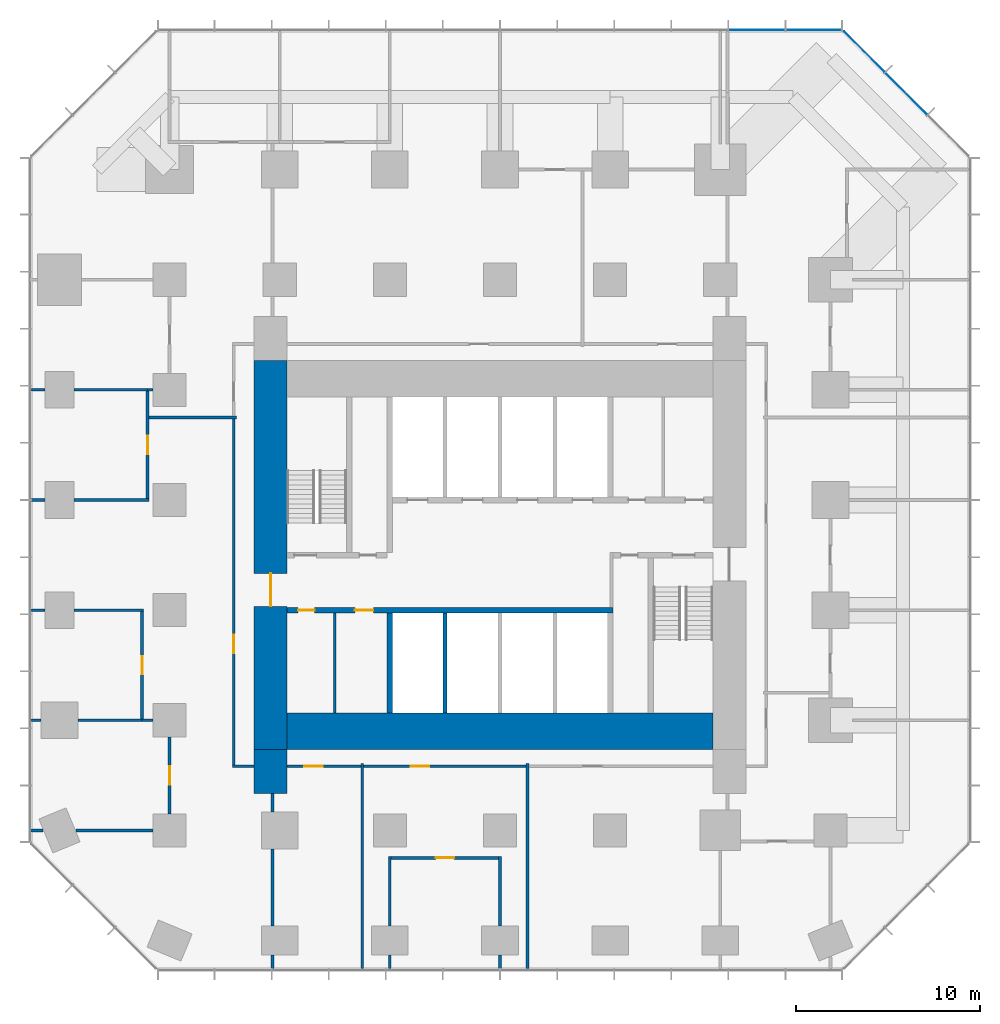
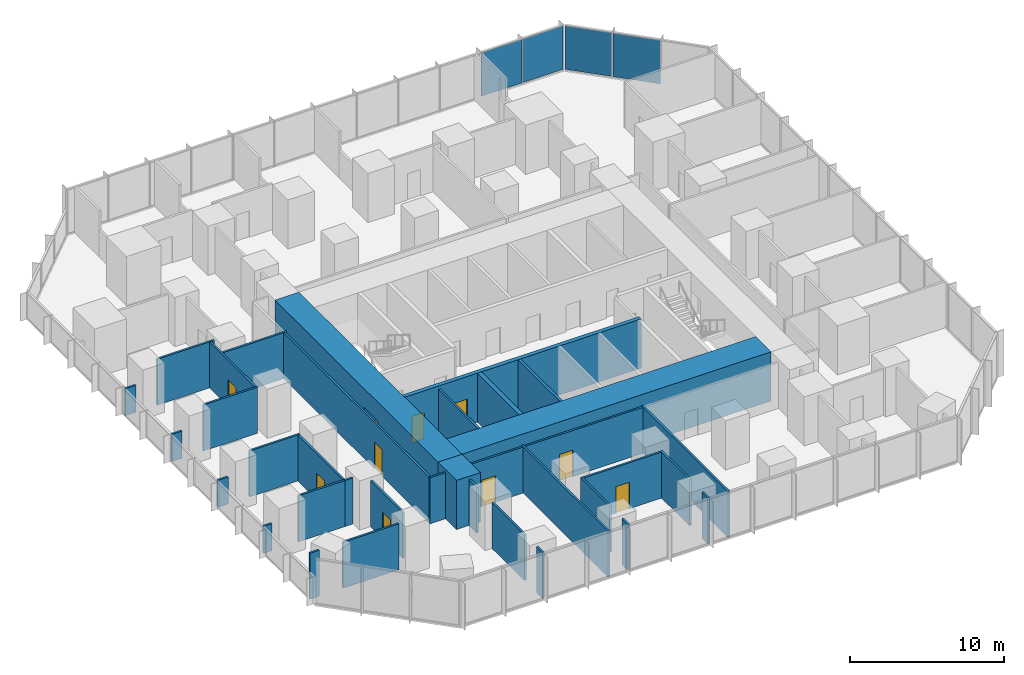
# One storey, part 9 of 13: 37 walls, 10 doors, 4 plates, 10 openings, 2 elements without a shape of their own.
"""IFC4 building model written with IfcOpenShell, lengths in metres."""

from ifc_helpers import new_model, si_unit, direction, frame, frame_2d, origin, origin_2d, place, context, subcontext, project, spatial, rectangle, extrude, material, layer, layer_set, type_object, element, fill, aggregate, save


model = new_model("IFC4")

# Units and contexts
model_context = context("Model", 3, precision=1e-05, world=origin(), true_north=direction((0.0, 1.0)))
body_context = subcontext(model_context, "Body", "Model", "MODEL_VIEW")
ifc_project = project(units=[si_unit("LENGTHUNIT", "METRE"), si_unit("AREAUNIT", "SQUARE_METRE"), si_unit("VOLUMEUNIT", "CUBIC_METRE"), si_unit("PLANEANGLEUNIT", "RADIAN"), si_unit("MASSUNIT", "GRAM", prefix="KILO")], contexts=[model_context])

# Site, building, storey
site_placement = place(None, origin())
site = spatial("IfcSite", under=ifc_project, at=site_placement, CompositionType="ELEMENT")
building_placement = place(site_placement, origin())
building = spatial("IfcBuilding", under=site, at=building_placement, Name="Highveld Stack Headquarters", CompositionType="ELEMENT")
storey_placement = place(building_placement, frame((0.0, 0.0, 84.5)))
storey = spatial("IfcBuildingStorey", under=building, at=storey_placement, Name="L20", CompositionType="ELEMENT", Elevation=84.5)

# Curtain wall, plates
ifc_material_1 = material(Name="Aluminium bronze anodised", Category="aluminium")
ifc_layer_1 = layer(ifc_material_1, 0.199951171875)
ifc_layer_set_1 = layer_set([ifc_layer_1], Name="Aluminium bronze anodised")
curtain_wall_type_1 = type_object("IfcCurtainWallType", Name="CW1 TOWER UNITISED CURTAIN WALL", PredefinedType="NOTDEFINED", material=ifc_layer_set_1)
curtain_wall_1_placement = place(storey_placement, origin())
curtain_wall_1 = element("IfcCurtainWall", 1, at=curtain_wall_1_placement, inside=storey, type_object=curtain_wall_type_1, Name="Curtain wall CW1 L20 N", PredefinedType="NOTDEFINED")
ifc_material_2 = material(Name="Glass bronze tinted double glazed unit", Category="glass")
ifc_layer_2 = layer(ifc_material_2, 0.028076171875)
ifc_layer_set_2 = layer_set([ifc_layer_2], Name="Glass bronze tinted double glazed unit")
plate_type_1 = type_object("IfcPlateType", Name="CW1 PANEL BRONZE TINTED DOUBLE GLAZED UNIT", PredefinedType="CURTAIN_PANEL", material=ifc_layer_set_2)
plate_1_placement = place(storey_placement, frame((23.09130859375, 31.60009765625, 0.10009765625), z_axis=(0.0, 0.0, 1.0), x_axis=(-1.0, 0.0, 0.0)))
plate_1 = element("IfcPlate", 2, at=plate_1_placement, type_object=plate_type_1, Name="CW1 panel L20 1.1", PredefinedType="CURTAIN_PANEL", context=body_context, shape_type="SweptSolid", body=[
    extrude(rectangle(XDim=3.012939453125, YDim=0.028076171875, at=origin_2d()), origin(), (0.0, 0.0, 1.0), 3.449951171875),
])
plate_2_placement = place(storey_placement, frame((19.9970703125, 31.60009765625, 0.10009765625), z_axis=(0.0, 0.0, 1.0), x_axis=(-1.0, 0.0, 0.0)))
plate_2 = element("IfcPlate", 3, at=plate_2_placement, type_object=plate_type_1, Name="CW1 panel L20 2.1", PredefinedType="CURTAIN_PANEL", context=body_context, shape_type="SweptSolid", body=[
    extrude(rectangle(XDim=3.04541015625, YDim=0.028076171875, at=origin_2d()), origin(), (0.0, 0.0, 1.0), 3.449951171875),
])
aggregate(curtain_wall_1, [plate_1, plate_2])

ifc_material_3 = material(Name="Aluminium bronze anodised", Category="aluminium")
ifc_layer_3 = layer(ifc_material_3, 0.199951171875)
ifc_layer_set_3 = layer_set([ifc_layer_3], Name="Aluminium bronze anodised")
curtain_wall_type_2 = type_object("IfcCurtainWallType", Name="CW2 TOWER CHAMFER UNITISED CURTAIN WALL", PredefinedType="NOTDEFINED", material=ifc_layer_set_3)
curtain_wall_2_placement = place(storey_placement, origin())
curtain_wall_2 = element("IfcCurtainWall", 4, at=curtain_wall_2_placement, inside=storey, type_object=curtain_wall_type_2, Name="Curtain wall CW2 L20 NE", PredefinedType="NOTDEFINED")
ifc_material_4 = material(Name="Glass bronze tinted double glazed unit", Category="glass")
ifc_layer_4 = layer(ifc_material_4, 0.028076171875)
ifc_layer_set_4 = layer_set([ifc_layer_4], Name="Glass bronze tinted double glazed unit")
plate_type_2 = type_object("IfcPlateType", Name="CW2 PANEL BRONZE TINTED DOUBLE GLAZED UNIT", PredefinedType="CURTAIN_PANEL", material=ifc_layer_set_4)
plate_3_placement = place(storey_placement, frame((28.13134765625, 28.13134765625, 0.10009765625), z_axis=(0.0, 0.0, 1.0), x_axis=(-0.707106781187, 0.707106781187, 0.0)))
plate_3 = element("IfcPlate", 5, at=plate_3_placement, type_object=plate_type_2, Name="CW2 panel L20 2.1", PredefinedType="CURTAIN_PANEL", context=body_context, shape_type="SweptSolid", body=[
    extrude(rectangle(XDim=3.205322265625, YDim=0.028076171875, at=origin_2d()), origin(), (0.0, 0.0, 1.0), 3.449951171875),
])
plate_4_placement = place(storey_placement, frame((25.8427734375, 30.419921875, 0.10009765625), z_axis=(0.0, 0.0, 1.0), x_axis=(-0.707106781187, 0.707106781187, 0.0)))
plate_4 = element("IfcPlate", 6, at=plate_4_placement, type_object=plate_type_2, Name="CW2 panel L20 3.1", PredefinedType="CURTAIN_PANEL", context=body_context, shape_type="SweptSolid", body=[
    extrude(rectangle(XDim=3.1376953125, YDim=0.028076171875, at=origin_2d()), origin(), (0.0, 0.0, 1.0), 3.449951171875),
])
aggregate(curtain_wall_2, [plate_3, plate_4])

# Wall, opening, door
ifc_material_5 = material(Name="Concrete C60/75", Category="concrete")
ifc_layer_5 = layer(ifc_material_5, 1.800048828125)
ifc_layer_set_5 = layer_set([ifc_layer_5], Name="Concrete C60/75")
wall_type_1 = type_object("IfcWallType", Name="CORE WALL 1800 C60/75", PredefinedType="SHEAR", material=ifc_layer_set_5)
wall_1_placement = place(storey_placement, frame((-6.5, -7.60009765625, 0.0), z_axis=(0.0, 0.0, 1.0), x_axis=(0.0, 1.0, 0.0)))
wall_1 = element("IfcWall", 7, at=wall_1_placement, inside=storey, type_object=wall_type_1, Name="Core wall W L20", PredefinedType="SHEAR", context=body_context, shape_type="SweptSolid", body=[
    extrude(rectangle(XDim=21.2001953125, YDim=1.800048828125, at=frame_2d((10.60009765625, 0.0))), origin(), (0.0, 0.0, 1.0), 3.89990234375),
])
opening_1_placement = place(wall_1_placement, frame((7.800048828125, 0.0, 0.0)))
opening_1 = element("IfcOpeningElement", 8, at=opening_1_placement, cuts=wall_1, Name="Opening L20-01", PredefinedType="OPENING", context=body_context, shape_type="SweptSolid", body=[
    extrude(rectangle(XDim=1.800048828125, YDim=2.39990234375, at=frame_2d((0.89990234375, 1.199951171875))), frame((0.0, 0.909912109375, 0.0), z_axis=(0.0, -1.0, 0.0), x_axis=(1.0, 0.0, 0.0)), (0.0, 0.0, 1.0), 1.820068359375),
])
ifc_material_6 = material(Name="Steel fire door", Category="steel")
door_type_1 = type_object("IfcDoorType", Name="LOBBY FIRE DOOR D4 1800x2400", OperationType="DOUBLE_DOOR_SINGLE_SWING", PredefinedType="DOOR", material=ifc_material_6)
door_1_placement = place(opening_1_placement, origin())
door_1 = element("IfcDoor", 9, at=door_1_placement, inside=storey, type_object=door_type_1, Name="Core west door L20", OperationType="DOUBLE_DOOR_SINGLE_SWING", OverallHeight=2.39990234375, OverallWidth=1.800048828125, PredefinedType="DOOR", context=body_context, shape_type="SweptSolid", body=[
    extrude(rectangle(XDim=1.800048828125, YDim=2.39990234375, at=frame_2d((0.89990234375, 1.199951171875))), frame((0.0, 0.02490234375, 0.0), z_axis=(0.0, -1.0, 0.0), x_axis=(1.0, 0.0, 0.0)), (0.0, 0.0, 1.0), 0.050048828125),
])
fill(opening_1, door_1)

# Wall
ifc_material_7 = material(Name="Concrete C60/75", Category="concrete")
ifc_layer_6 = layer(ifc_material_7, 2.0)
ifc_layer_set_6 = layer_set([ifc_layer_6], Name="Concrete C60/75")
wall_type_2 = type_object("IfcWallType", Name="CORE WALL 2000 C60/75", PredefinedType="SHEAR", material=ifc_layer_set_6)
wall_2_placement = place(storey_placement, frame((-5.60009765625, -6.60009765625, 0.0), z_axis=(0.0, 0.0, 1.0), x_axis=(1.0, 0.0, 0.0)))
element("IfcWall", 10, at=wall_2_placement, inside=storey, type_object=wall_type_2, Name="Core wall S L20", PredefinedType="SHEAR", context=body_context, shape_type="SweptSolid", body=[
    extrude(rectangle(XDim=23.2001953125, YDim=2.0, at=frame_2d((11.60009765625, 0.0))), origin(), (0.0, 0.0, 1.0), 3.89990234375),
])

# Wall, openings, doors
ifc_material_8 = material(Name="Concrete C60/75", Category="concrete")
ifc_layer_7 = layer(ifc_material_8, 0.300048828125)
ifc_layer_set_7 = layer_set([ifc_layer_7], Name="Concrete C60/75")
wall_type_3 = type_object("IfcWallType", Name="CORE WALL 300 C60/75", PredefinedType="SHEAR", material=ifc_layer_set_7)
wall_3_placement = place(storey_placement, frame((-5.60009765625, 0.0, 0.0), z_axis=(0.0, 0.0, 1.0), x_axis=(1.0, 0.0, 0.0)))
wall_3 = element("IfcWall", 11, at=wall_3_placement, inside=storey, type_object=wall_type_3, Name="Core wall I-Y0 L20", PredefinedType="SHEAR", context=body_context, shape_type="SweptSolid", body=[
    extrude(rectangle(XDim=17.75, YDim=0.300048828125, at=frame_2d((8.875, 0.0))), origin(), (0.0, 0.0, 1.0), 3.89990234375),
])
opening_2_placement = place(wall_3_placement, frame((0.60009765625, 0.0, 0.0)))
opening_2 = element("IfcOpeningElement", 12, at=opening_2_placement, cuts=wall_3, Name="Opening L20-07", PredefinedType="OPENING", context=body_context, shape_type="SweptSolid", body=[
    extrude(rectangle(XDim=0.89990234375, YDim=2.10009765625, at=frame_2d((0.449951171875, 1.050048828125))), frame((0.0, 0.159912109375, 0.0), z_axis=(0.0, -1.0, 0.0), x_axis=(1.0, 0.0, 0.0)), (0.0, 0.0, 1.0), 0.320068359375),
])
opening_3_placement = place(wall_3_placement, frame((3.699951171875, 0.0, 0.0)))
opening_3 = element("IfcOpeningElement", 13, at=opening_3_placement, cuts=wall_3, Name="Opening L20-08", PredefinedType="OPENING", context=body_context, shape_type="SweptSolid", body=[
    extrude(rectangle(XDim=1.0, YDim=2.10009765625, at=frame_2d((0.5, 1.050048828125))), frame((0.0, 0.159912109375, 0.0), z_axis=(0.0, -1.0, 0.0), x_axis=(1.0, 0.0, 0.0)), (0.0, 0.0, 1.0), 0.320068359375),
])
ifc_material_9 = material(Name="Steel fire door", Category="steel")
door_type_2 = type_object("IfcDoorType", Name="CORE ROOM FIRE DOOR D14 1000x2100", OperationType="SINGLE_SWING_LEFT", PredefinedType="DOOR", material=ifc_material_9)
door_2_placement = place(opening_3_placement, origin())
door_2 = element("IfcDoor", 14, at=door_2_placement, inside=storey, type_object=door_type_2, Name="Cleaners store door L20", OperationType="SINGLE_SWING_LEFT", OverallHeight=2.10009765625, OverallWidth=1.0, PredefinedType="DOOR", context=body_context, shape_type="SweptSolid", body=[
    extrude(rectangle(XDim=1.0, YDim=2.10009765625, at=frame_2d((0.5, 1.050048828125))), frame((0.0, 0.02490234375, 0.0), z_axis=(0.0, -1.0, 0.0), x_axis=(1.0, 0.0, 0.0)), (0.0, 0.0, 1.0), 0.050048828125),
])
fill(opening_3, door_2)
ifc_material_10 = material(Name="Timber door, painted", Category="wood")
door_type_3 = type_object("IfcDoorType", Name="WC DOOR D1 900x2100", OperationType="SINGLE_SWING_LEFT", PredefinedType="DOOR", material=ifc_material_10)
door_3_placement = place(opening_2_placement, origin())
door_3 = element("IfcDoor", 15, at=door_3_placement, inside=storey, type_object=door_type_3, Name="Female WC door L20", OperationType="SINGLE_SWING_LEFT", OverallHeight=2.10009765625, OverallWidth=0.89990234375, PredefinedType="DOOR", context=body_context, shape_type="SweptSolid", body=[
    extrude(rectangle(XDim=0.89990234375, YDim=2.10009765625, at=frame_2d((0.449951171875, 1.050048828125))), frame((0.0, 0.02490234375, 0.0), z_axis=(0.0, -1.0, 0.0), x_axis=(1.0, 0.0, 0.0)), (0.0, 0.0, 1.0), 0.050048828125),
])
fill(opening_2, door_3)

# Walls
wall_4_placement = place(storey_placement, frame((0.0, -5.60009765625, 0.0), z_axis=(0.0, 0.0, 1.0), x_axis=(0.0, 1.0, 0.0)))
element("IfcWall", 16, at=wall_4_placement, inside=storey, type_object=wall_type_3, Name="Core wall I-X0S L20", PredefinedType="SHEAR", context=body_context, shape_type="SweptSolid", body=[
    extrude(rectangle(XDim=5.4501953125, YDim=0.300048828125, at=frame_2d((2.72509765625, 0.0))), origin(), (0.0, 0.0, 1.0), 3.89990234375),
])
ifc_material_11 = material(Name="Concrete C60/75", Category="concrete")
ifc_layer_8 = layer(ifc_material_11, 1.800048828125)
ifc_layer_set_8 = layer_set([ifc_layer_8], Name="Concrete C60/75")
wall_type_4 = type_object("IfcWallType", Name="CORE WING WALL 1800 C60/75", PredefinedType="SHEAR", material=ifc_layer_set_8)
wall_5_placement = place(storey_placement, frame((-6.5, -10.0, 0.0), z_axis=(0.0, 0.0, 1.0), x_axis=(0.0, 1.0, 0.0)))
element("IfcWall", 17, at=wall_5_placement, inside=storey, type_object=wall_type_4, Name="Core wing wall WS L20", PredefinedType="SHEAR", context=body_context, shape_type="SweptSolid", body=[
    extrude(rectangle(XDim=2.39990234375, YDim=1.800048828125, at=frame_2d((1.199951171875, 0.0))), origin(), (0.0, 0.0, 1.0), 3.89990234375),
])
ifc_material_12 = material(Name="Concrete blockwork, fair-faced", Category="masonry")
ifc_layer_9 = layer(ifc_material_12, 0.199951171875)
ifc_layer_set_9 = layer_set([ifc_layer_9], Name="Concrete blockwork, fair-faced")
wall_type_5 = type_object("IfcWallType", Name="LIFT SHAFT ENCLOSURE WALL 200 BLOCKWORK", PredefinedType="SOLIDWALL", material=ifc_layer_set_9)
wall_6_placement = place(storey_placement, frame((3.0, -5.60009765625, 0.0), z_axis=(0.0, 0.0, 1.0), x_axis=(0.0, 1.0, 0.0)))
element("IfcWall", 18, at=wall_6_placement, inside=storey, type_object=wall_type_5, Name="Lift shaft wall L20", PredefinedType="SOLIDWALL", context=body_context, shape_type="SweptSolid", body=[
    extrude(rectangle(XDim=5.4501953125, YDim=0.199951171875, at=frame_2d((2.72509765625, 0.0))), origin(), (0.0, 0.0, 1.0), 3.89990234375),
])

# Wall, opening, door
ifc_material_13 = material(Name="Gypsum plasterboard on steel studs", Category="steel")
ifc_layer_10 = layer(ifc_material_13, 0.14990234375)
ifc_layer_set_10 = layer_set([ifc_layer_10], Name="Gypsum plasterboard on steel studs")
wall_type_6 = type_object("IfcWallType", Name="PARTITION 150 PLASTERBOARD", PredefinedType="PARTITIONING", material=ifc_layer_set_10)
wall_7_placement = place(storey_placement, frame((0.074951171875, -13.5, 0.0), z_axis=(0.0, 0.0, 1.0), x_axis=(1.0, 0.0, 0.0)))
wall_7 = element("IfcWall", 19, at=wall_7_placement, inside=storey, type_object=wall_type_6, Name="Partition Quiet room L20", PredefinedType="PARTITIONING", context=body_context, shape_type="SweptSolid", body=[
    extrude(rectangle(XDim=5.85009765625, YDim=0.14990234375, at=frame_2d((2.925048828125, 0.0))), origin(), (0.0, 0.0, 1.0), 3.64990234375),
])
opening_4_placement = place(wall_7_placement, frame((2.425048828125, 0.0, 0.0)))
opening_4 = element("IfcOpeningElement", 20, at=opening_4_placement, cuts=wall_7, Name="Opening L20-11", PredefinedType="OPENING", context=body_context, shape_type="SweptSolid", body=[
    extrude(rectangle(XDim=1.0, YDim=2.10009765625, at=frame_2d((0.5, 1.050048828125))), frame((0.0, 0.0849609375, 0.0), z_axis=(0.0, -1.0, 0.0), x_axis=(1.0, 0.0, 0.0)), (0.0, 0.0, 1.0), 0.169921875),
])
ifc_material_14 = material(Name="Timber door, oiled ash", Category="wood")
door_type_4 = type_object("IfcDoorType", Name="ROOM DOOR D6 1000x2100", OperationType="SINGLE_SWING_LEFT", PredefinedType="DOOR", material=ifc_material_14)
door_4_placement = place(opening_4_placement, origin())
door_4 = element("IfcDoor", 21, at=door_4_placement, inside=storey, type_object=door_type_4, Name="Quiet room door 1 L20", OperationType="SINGLE_SWING_LEFT", OverallHeight=2.10009765625, OverallWidth=1.0, PredefinedType="DOOR", context=body_context, shape_type="SweptSolid", body=[
    extrude(rectangle(XDim=1.0, YDim=2.10009765625, at=frame_2d((0.5, 1.050048828125))), frame((0.0, 0.02490234375, 0.0), z_axis=(0.0, -1.0, 0.0), x_axis=(1.0, 0.0, 0.0)), (0.0, 0.0, 1.0), 0.050048828125),
])
fill(opening_4, door_4)

# Walls
wall_8_placement = place(storey_placement, frame((-19.60009765625, -12.0, 0.0), z_axis=(0.0, 0.0, 1.0), x_axis=(1.0, 0.0, 0.0)))
element("IfcWall", 22, at=wall_8_placement, inside=storey, type_object=wall_type_6, Name="Partition Office L20", PredefinedType="PARTITIONING", context=body_context, shape_type="SweptSolid", body=[
    extrude(rectangle(XDim=0.703125, YDim=0.14990234375, at=frame_2d((0.3515625, 0.0))), origin(), (0.0, 0.0, 1.0), 3.64990234375),
])
wall_9_placement = place(storey_placement, frame((-17.10302734375, -12.0, 0.0), z_axis=(0.0, 0.0, 1.0), x_axis=(1.0, 0.0, 0.0)))
element("IfcWall", 23, at=wall_9_placement, inside=storey, type_object=wall_type_6, Name="Partition Office L20", PredefinedType="PARTITIONING", context=body_context, shape_type="SweptSolid", body=[
    extrude(rectangle(XDim=4.203125, YDim=0.14990234375, at=frame_2d((2.1015625, 0.0))), origin(), (0.0, 0.0, 1.0), 3.64990234375),
])
wall_10_placement = place(storey_placement, frame((-19.60009765625, -6.0, 0.0), z_axis=(0.0, 0.0, 1.0), x_axis=(1.0, 0.0, 0.0)))
element("IfcWall", 24, at=wall_10_placement, inside=storey, type_object=wall_type_6, Name="Partition Office / Quiet room L20", PredefinedType="PARTITIONING", context=body_context, shape_type="SweptSolid", body=[
    extrude(rectangle(XDim=0.60009765625, YDim=0.14990234375, at=frame_2d((0.300048828125, 0.0))), origin(), (0.0, 0.0, 1.0), 2.14990234375),
])
wall_11_placement = place(storey_placement, frame((-17.0, -6.0, 0.0), z_axis=(0.0, 0.0, 1.0), x_axis=(1.0, 0.0, 0.0)))
element("IfcWall", 25, at=wall_11_placement, inside=storey, type_object=wall_type_6, Name="Partition Office / Quiet room L20", PredefinedType="PARTITIONING", context=body_context, shape_type="SweptSolid", body=[
    extrude(rectangle(XDim=3.574951171875, YDim=0.14990234375, at=frame_2d((1.78759765625, 0.0))), origin(), (0.0, 0.0, 1.0), 3.64990234375),
])
wall_12_placement = place(storey_placement, frame((-13.5, -6.0, 0.0), z_axis=(0.0, 0.0, 1.0), x_axis=(1.0, 0.0, 0.0)))
element("IfcWall", 26, at=wall_12_placement, inside=storey, type_object=wall_type_6, Name="Partition Office L20", PredefinedType="PARTITIONING", context=body_context, shape_type="SweptSolid", body=[
    extrude(rectangle(XDim=0.60009765625, YDim=0.14990234375, at=frame_2d((0.300048828125, 0.0))), origin(), (0.0, 0.0, 1.0), 3.64990234375),
])
wall_13_placement = place(storey_placement, frame((-19.60009765625, 0.0, 0.0), z_axis=(0.0, 0.0, 1.0), x_axis=(1.0, 0.0, 0.0)))
element("IfcWall", 27, at=wall_13_placement, inside=storey, type_object=wall_type_6, Name="Partition Quiet room L20", PredefinedType="PARTITIONING", context=body_context, shape_type="SweptSolid", body=[
    extrude(rectangle(XDim=0.800048828125, YDim=0.14990234375, at=frame_2d((0.39990234375, 0.0))), origin(), (0.0, 0.0, 1.0), 2.14990234375),
])
wall_14_placement = place(storey_placement, frame((-17.199951171875, 0.0, 0.0), z_axis=(0.0, 0.0, 1.0), x_axis=(1.0, 0.0, 0.0)))
element("IfcWall", 28, at=wall_14_placement, inside=storey, type_object=wall_type_6, Name="Partition Quiet room L20", PredefinedType="PARTITIONING", context=body_context, shape_type="SweptSolid", body=[
    extrude(rectangle(XDim=3.77490234375, YDim=0.14990234375, at=frame_2d((1.887451171875, 0.0))), origin(), (0.0, 0.0, 1.0), 3.64990234375),
])
wall_15_placement = place(storey_placement, frame((-19.550048828125, 6.0, 0.0), z_axis=(0.0, 0.0, 1.0), x_axis=(1.0, 0.0, 0.0)))
element("IfcWall", 29, at=wall_15_placement, inside=storey, type_object=wall_type_6, Name="Partition Tea kitchen L20", PredefinedType="PARTITIONING", context=body_context, shape_type="SweptSolid", body=[
    extrude(rectangle(XDim=0.75, YDim=0.14990234375, at=frame_2d((0.375, 0.0))), origin(), (0.0, 0.0, 1.0), 2.14990234375),
])
wall_16_placement = place(storey_placement, frame((-17.199951171875, 6.0, 0.0), z_axis=(0.0, 0.0, 1.0), x_axis=(1.0, 0.0, 0.0)))
element("IfcWall", 30, at=wall_16_placement, inside=storey, type_object=wall_type_6, Name="Partition Tea kitchen L20", PredefinedType="PARTITIONING", context=body_context, shape_type="SweptSolid", body=[
    extrude(rectangle(XDim=4.074951171875, YDim=0.14990234375, at=frame_2d((2.03759765625, 0.0))), origin(), (0.0, 0.0, 1.0), 3.64990234375),
])
wall_17_placement = place(storey_placement, frame((-19.60009765625, 12.0, 0.0), z_axis=(0.0, 0.0, 1.0), x_axis=(1.0, 0.0, 0.0)))
element("IfcWall", 31, at=wall_17_placement, inside=storey, type_object=wall_type_6, Name="Partition Office / Tea kitchen L20", PredefinedType="PARTITIONING", context=body_context, shape_type="SweptSolid", body=[
    extrude(rectangle(XDim=0.800048828125, YDim=0.14990234375, at=frame_2d((0.39990234375, 0.0))), origin(), (0.0, 0.0, 1.0), 2.14990234375),
])
wall_18_placement = place(storey_placement, frame((-17.199951171875, 12.0, 0.0), z_axis=(0.0, 0.0, 1.0), x_axis=(1.0, 0.0, 0.0)))
element("IfcWall", 32, at=wall_18_placement, inside=storey, type_object=wall_type_6, Name="Partition Office / Tea kitchen L20", PredefinedType="PARTITIONING", context=body_context, shape_type="SweptSolid", body=[
    extrude(rectangle(XDim=4.074951171875, YDim=0.14990234375, at=frame_2d((2.03759765625, 0.0))), origin(), (0.0, 0.0, 1.0), 3.64990234375),
])
wall_19_placement = place(storey_placement, frame((-13.199951171875, 12.0, 0.0), z_axis=(0.0, 0.0, 1.0), x_axis=(1.0, 0.0, 0.0)))
element("IfcWall", 33, at=wall_19_placement, inside=storey, type_object=wall_type_6, Name="Partition Office L20", PredefinedType="PARTITIONING", context=body_context, shape_type="SweptSolid", body=[
    extrude(rectangle(XDim=0.300048828125, YDim=0.14990234375, at=frame_2d((0.14990234375, 0.0))), origin(), (0.0, 0.0, 1.0), 3.64990234375),
])

# Wall, opening, door
wall_20_placement = place(storey_placement, frame((-13.5, -5.925048828125, 0.0), z_axis=(0.0, 0.0, 1.0), x_axis=(0.0, 1.0, 0.0)))
wall_20 = element("IfcWall", 34, at=wall_20_placement, inside=storey, type_object=wall_type_6, Name="Partition Quiet room L20", PredefinedType="PARTITIONING", context=body_context, shape_type="SweptSolid", body=[
    extrude(rectangle(XDim=5.85009765625, YDim=0.14990234375, at=frame_2d((2.925048828125, 0.0))), origin(), (0.0, 0.0, 1.0), 3.64990234375),
])
opening_5_placement = place(wall_20_placement, frame((2.425048828125, 0.0, 0.0)))
opening_5 = element("IfcOpeningElement", 35, at=opening_5_placement, cuts=wall_20, Name="Opening L20-14", PredefinedType="OPENING", context=body_context, shape_type="SweptSolid", body=[
    extrude(rectangle(XDim=1.0, YDim=2.10009765625, at=frame_2d((0.5, 1.050048828125))), frame((0.0, 0.0849609375, 0.0), z_axis=(0.0, -1.0, 0.0), x_axis=(1.0, 0.0, 0.0)), (0.0, 0.0, 1.0), 0.169921875),
])
door_5_placement = place(opening_5_placement, origin())
door_5 = element("IfcDoor", 36, at=door_5_placement, inside=storey, type_object=door_type_4, Name="Quiet room door 1 L20", OperationType="SINGLE_SWING_RIGHT", OverallHeight=2.10009765625, OverallWidth=1.0, PredefinedType="DOOR", context=body_context, shape_type="SweptSolid", body=[
    extrude(rectangle(XDim=1.0, YDim=2.10009765625, at=frame_2d((0.5, 1.050048828125))), frame((0.0, 0.02490234375, 0.0), z_axis=(0.0, -1.0, 0.0), x_axis=(1.0, 0.0, 0.0)), (0.0, 0.0, 1.0), 0.050048828125),
])
fill(opening_5, door_5)

wall_21_placement = place(storey_placement, frame((-13.199951171875, 6.074951171875, 0.0), z_axis=(0.0, 0.0, 1.0), x_axis=(0.0, 1.0, 0.0)))
wall_21 = element("IfcWall", 37, at=wall_21_placement, inside=storey, type_object=wall_type_6, Name="Partition Tea kitchen L20", PredefinedType="PARTITIONING", context=body_context, shape_type="SweptSolid", body=[
    extrude(rectangle(XDim=5.85009765625, YDim=0.14990234375, at=frame_2d((2.925048828125, 0.0))), origin(), (0.0, 0.0, 1.0), 3.64990234375),
])
opening_6_placement = place(wall_21_placement, frame((2.425048828125, 0.0, 0.0)))
opening_6 = element("IfcOpeningElement", 38, at=opening_6_placement, cuts=wall_21, Name="Opening L20-15", PredefinedType="OPENING", context=body_context, shape_type="SweptSolid", body=[
    extrude(rectangle(XDim=1.0, YDim=2.10009765625, at=frame_2d((0.5, 1.050048828125))), frame((0.0, 0.0849609375, 0.0), z_axis=(0.0, -1.0, 0.0), x_axis=(1.0, 0.0, 0.0)), (0.0, 0.0, 1.0), 0.169921875),
])
door_6_placement = place(opening_6_placement, origin())
door_6 = element("IfcDoor", 39, at=door_6_placement, inside=storey, type_object=door_type_4, Name="Tea kitchen door 1 L20", OperationType="SINGLE_SWING_RIGHT", OverallHeight=2.10009765625, OverallWidth=1.0, PredefinedType="DOOR", context=body_context, shape_type="SweptSolid", body=[
    extrude(rectangle(XDim=1.0, YDim=2.10009765625, at=frame_2d((0.5, 1.050048828125))), frame((0.0, 0.02490234375, 0.0), z_axis=(0.0, -1.0, 0.0), x_axis=(1.0, 0.0, 0.0)), (0.0, 0.0, 1.0), 0.050048828125),
])
fill(opening_6, door_6)

wall_22_placement = place(storey_placement, frame((-12.0, -11.10009765625, 0.0), z_axis=(0.0, 0.0, 1.0), x_axis=(0.0, 1.0, 0.0)))
wall_22 = element("IfcWall", 40, at=wall_22_placement, inside=storey, type_object=wall_type_6, Name="Partition Office L20", PredefinedType="PARTITIONING", context=body_context, shape_type="SweptSolid", body=[
    extrude(rectangle(XDim=4.2001953125, YDim=0.14990234375, at=frame_2d((2.10009765625, 0.0))), origin(), (0.0, 0.0, 1.0), 3.64990234375),
])
opening_7_placement = place(wall_22_placement, frame((1.60009765625, 0.0, 0.0)))
opening_7 = element("IfcOpeningElement", 41, at=opening_7_placement, cuts=wall_22, Name="Opening L20-13", PredefinedType="OPENING", context=body_context, shape_type="SweptSolid", body=[
    extrude(rectangle(XDim=1.0, YDim=2.10009765625, at=frame_2d((0.5, 1.050048828125))), frame((0.0, 0.0849609375, 0.0), z_axis=(0.0, -1.0, 0.0), x_axis=(1.0, 0.0, 0.0)), (0.0, 0.0, 1.0), 0.169921875),
])
door_7_placement = place(opening_7_placement, origin())
door_7 = element("IfcDoor", 42, at=door_7_placement, inside=storey, type_object=door_type_4, Name="Office door 1 L20", OperationType="SINGLE_SWING_LEFT", OverallHeight=2.10009765625, OverallWidth=1.0, PredefinedType="DOOR", context=body_context, shape_type="SweptSolid", body=[
    extrude(rectangle(XDim=1.0, YDim=2.10009765625, at=frame_2d((0.5, 1.050048828125))), frame((0.0, 0.02490234375, 0.0), z_axis=(0.0, -1.0, 0.0), x_axis=(1.0, 0.0, 0.0)), (0.0, 0.0, 1.0), 0.050048828125),
])
fill(opening_7, door_7)

# Walls
wall_23_placement = place(storey_placement, frame((0.0, -19.60009765625, 0.0), z_axis=(0.0, 0.0, 1.0), x_axis=(0.0, 1.0, 0.0)))
element("IfcWall", 43, at=wall_23_placement, inside=storey, type_object=wall_type_6, Name="Partition Quiet room L20", PredefinedType="PARTITIONING", context=body_context, shape_type="SweptSolid", body=[
    extrude(rectangle(XDim=0.800048828125, YDim=0.14990234375, at=frame_2d((0.39990234375, 0.0))), origin(), (0.0, 0.0, 1.0), 3.64990234375),
])
wall_24_placement = place(storey_placement, frame((0.0, -17.199951171875, 0.0), z_axis=(0.0, 0.0, 1.0), x_axis=(0.0, 1.0, 0.0)))
element("IfcWall", 44, at=wall_24_placement, inside=storey, type_object=wall_type_6, Name="Partition Quiet room L20", PredefinedType="PARTITIONING", context=body_context, shape_type="SweptSolid", body=[
    extrude(rectangle(XDim=3.77490234375, YDim=0.14990234375, at=frame_2d((1.887451171875, 0.0))), origin(), (0.0, 0.0, 1.0), 3.64990234375),
])
wall_25_placement = place(storey_placement, frame((6.0, -19.550048828125, 0.0), z_axis=(0.0, 0.0, 1.0), x_axis=(0.0, 1.0, 0.0)))
element("IfcWall", 45, at=wall_25_placement, inside=storey, type_object=wall_type_6, Name="Partition Quiet room L20", PredefinedType="PARTITIONING", context=body_context, shape_type="SweptSolid", body=[
    extrude(rectangle(XDim=0.75, YDim=0.14990234375, at=frame_2d((0.375, 0.0))), origin(), (0.0, 0.0, 1.0), 3.64990234375),
])
wall_26_placement = place(storey_placement, frame((6.0, -17.199951171875, 0.0), z_axis=(0.0, 0.0, 1.0), x_axis=(0.0, 1.0, 0.0)))
element("IfcWall", 46, at=wall_26_placement, inside=storey, type_object=wall_type_6, Name="Partition Quiet room L20", PredefinedType="PARTITIONING", context=body_context, shape_type="SweptSolid", body=[
    extrude(rectangle(XDim=3.77490234375, YDim=0.14990234375, at=frame_2d((1.887451171875, 0.0))), origin(), (0.0, 0.0, 1.0), 3.64990234375),
])
wall_27_placement = place(storey_placement, frame((-13.125, 10.5, 0.0), z_axis=(0.0, 0.0, 1.0), x_axis=(1.0, 0.0, 0.0)))
element("IfcWall", 47, at=wall_27_placement, inside=storey, type_object=wall_type_6, Name="Partition office neighbourhood L20", PredefinedType="PARTITIONING", context=body_context, shape_type="SweptSolid", body=[
    extrude(rectangle(XDim=4.77490234375, YDim=0.14990234375, at=frame_2d((2.387451171875, 0.0))), origin(), (0.0, 0.0, 1.0), 3.64990234375),
])

# Wall, opening, door
wall_28_placement = place(storey_placement, frame((-8.5, -8.425048828125, 0.0), z_axis=(0.0, 0.0, 1.0), x_axis=(0.0, 1.0, 0.0)))
wall_28 = element("IfcWall", 48, at=wall_28_placement, inside=storey, type_object=wall_type_6, Name="Partition office neighbourhood L20", PredefinedType="PARTITIONING", context=body_context, shape_type="SweptSolid", body=[
    extrude(rectangle(XDim=18.85009765625, YDim=0.14990234375, at=frame_2d((9.425048828125, 0.0))), origin(), (0.0, 0.0, 1.0), 3.64990234375),
])
opening_8_placement = place(wall_28_placement, frame((6.074951171875, 0.0, 0.0)))
opening_8 = element("IfcOpeningElement", 49, at=opening_8_placement, cuts=wall_28, Name="Opening L20-25", PredefinedType="OPENING", context=body_context, shape_type="SweptSolid", body=[
    extrude(rectangle(XDim=1.0, YDim=2.10009765625, at=frame_2d((0.5, 1.050048828125))), frame((0.0, 0.0849609375, 0.0), z_axis=(0.0, -1.0, 0.0), x_axis=(1.0, 0.0, 0.0)), (0.0, 0.0, 1.0), 0.169921875),
])
door_8_placement = place(opening_8_placement, origin())
door_8 = element("IfcDoor", 50, at=door_8_placement, inside=storey, type_object=door_type_4, Name="Office neighbourhood door L20", OperationType="SINGLE_SWING_LEFT", OverallHeight=2.10009765625, OverallWidth=1.0, PredefinedType="DOOR", context=body_context, shape_type="SweptSolid", body=[
    extrude(rectangle(XDim=1.0, YDim=2.10009765625, at=frame_2d((0.5, 1.050048828125))), frame((0.0, 0.02490234375, 0.0), z_axis=(0.0, -1.0, 0.0), x_axis=(1.0, 0.0, 0.0)), (0.0, 0.0, 1.0), 0.050048828125),
])
fill(opening_8, door_8)

# Walls
wall_29_placement = place(storey_placement, frame((-8.574951171875, -8.5, 0.0), z_axis=(0.0, 0.0, 1.0), x_axis=(1.0, 0.0, 0.0)))
element("IfcWall", 51, at=wall_29_placement, inside=storey, type_object=wall_type_6, Name="Partition office neighbourhood L20", PredefinedType="PARTITIONING", context=body_context, shape_type="SweptSolid", body=[
    extrude(rectangle(XDim=1.175048828125, YDim=0.14990234375, at=frame_2d((0.58740234375, 0.0))), origin(), (0.0, 0.0, 1.0), 3.64990234375),
])
wall_30_placement = place(storey_placement, frame((-6.39990234375, -19.550048828125, 0.0), z_axis=(0.0, 0.0, 1.0), x_axis=(0.0, 1.0, 0.0)))
element("IfcWall", 52, at=wall_30_placement, inside=storey, type_object=wall_type_6, Name="Partition office neighbourhood L20", PredefinedType="PARTITIONING", context=body_context, shape_type="SweptSolid", body=[
    extrude(rectangle(XDim=0.75, YDim=0.14990234375, at=frame_2d((0.375, 0.0))), origin(), (0.0, 0.0, 1.0), 3.64990234375),
])
wall_31_placement = place(storey_placement, frame((-6.39990234375, -17.199951171875, 0.0), z_axis=(0.0, 0.0, 1.0), x_axis=(0.0, 1.0, 0.0)))
element("IfcWall", 53, at=wall_31_placement, inside=storey, type_object=wall_type_6, Name="Partition office neighbourhood L20", PredefinedType="PARTITIONING", context=body_context, shape_type="SweptSolid", body=[
    extrude(rectangle(XDim=4.199951171875, YDim=0.14990234375, at=frame_2d((2.10009765625, 0.0))), origin(), (0.0, 0.0, 1.0), 3.64990234375),
])
wall_32_placement = place(storey_placement, frame((-6.39990234375, -11.0, 0.0), z_axis=(0.0, 0.0, 1.0), x_axis=(0.0, 1.0, 0.0)))
element("IfcWall", 54, at=wall_32_placement, inside=storey, type_object=wall_type_6, Name="Partition office neighbourhood L20", PredefinedType="PARTITIONING", context=body_context, shape_type="SweptSolid", body=[
    extrude(rectangle(XDim=1.0, YDim=0.14990234375, at=frame_2d((0.5, 0.0))), origin(), (0.0, 0.0, 1.0), 3.64990234375),
])

# Wall, opening, door
wall_33_placement = place(storey_placement, frame((-1.574951171875, -8.5, 0.0), z_axis=(0.0, 0.0, 1.0), x_axis=(-1.0, 0.0, 0.0)))
wall_33 = element("IfcWall", 55, at=wall_33_placement, inside=storey, type_object=wall_type_6, Name="Partition office neighbourhood L20", PredefinedType="PARTITIONING", context=body_context, shape_type="SweptSolid", body=[
    extrude(rectangle(XDim=4.025146484375, YDim=0.14990234375, at=frame_2d((2.0126953125, 0.0))), origin(), (0.0, 0.0, 1.0), 3.64990234375),
])
opening_9_placement = place(wall_33_placement, frame((2.090087890625, 0.0, 0.0)))
opening_9 = element("IfcOpeningElement", 56, at=opening_9_placement, cuts=wall_33, Name="Opening L20-29", PredefinedType="OPENING", context=body_context, shape_type="SweptSolid", body=[
    extrude(rectangle(XDim=1.0, YDim=2.10009765625, at=frame_2d((0.5, 1.050048828125))), frame((0.0, 0.0849609375, 0.0), z_axis=(0.0, -1.0, 0.0), x_axis=(1.0, 0.0, 0.0)), (0.0, 0.0, 1.0), 0.169921875),
])
door_9_placement = place(opening_9_placement, origin())
door_9 = element("IfcDoor", 57, at=door_9_placement, inside=storey, type_object=door_type_4, Name="Office neighbourhood door L20", OperationType="SINGLE_SWING_RIGHT", OverallHeight=2.10009765625, OverallWidth=1.0, PredefinedType="DOOR", context=body_context, shape_type="SweptSolid", body=[
    extrude(rectangle(XDim=1.0, YDim=2.10009765625, at=frame_2d((0.5, 1.050048828125))), frame((0.0, 0.02490234375, 0.0), z_axis=(0.0, -1.0, 0.0), x_axis=(1.0, 0.0, 0.0)), (0.0, 0.0, 1.0), 0.050048828125),
])
fill(opening_9, door_9)

# Wall
wall_34_placement = place(storey_placement, frame((-1.5, -19.60009765625, 0.0), z_axis=(0.0, 0.0, 1.0), x_axis=(0.0, 1.0, 0.0)))
element("IfcWall", 58, at=wall_34_placement, inside=storey, type_object=wall_type_6, Name="Partition office neighbourhood L20", PredefinedType="PARTITIONING", context=body_context, shape_type="SweptSolid", body=[
    extrude(rectangle(XDim=11.25, YDim=0.14990234375, at=frame_2d((5.625, 0.0))), origin(), (0.0, 0.0, 1.0), 3.64990234375),
])

# Wall, opening, door
wall_35_placement = place(storey_placement, frame((7.425048828125, -8.5, 0.0), z_axis=(0.0, 0.0, 1.0), x_axis=(-1.0, 0.0, 0.0)))
wall_35 = element("IfcWall", 59, at=wall_35_placement, inside=storey, type_object=wall_type_6, Name="Partition office neighbourhood L20", PredefinedType="PARTITIONING", context=body_context, shape_type="SweptSolid", body=[
    extrude(rectangle(XDim=8.85009765625, YDim=0.14990234375, at=frame_2d((4.425048828125, 0.0))), origin(), (0.0, 0.0, 1.0), 3.64990234375),
])
opening_10_placement = place(wall_35_placement, frame((5.27490234375, 0.0, 0.0)))
opening_10 = element("IfcOpeningElement", 60, at=opening_10_placement, cuts=wall_35, Name="Opening L20-31", PredefinedType="OPENING", context=body_context, shape_type="SweptSolid", body=[
    extrude(rectangle(XDim=1.0, YDim=2.10009765625, at=frame_2d((0.5, 1.050048828125))), frame((0.0, 0.0849609375, 0.0), z_axis=(0.0, -1.0, 0.0), x_axis=(1.0, 0.0, 0.0)), (0.0, 0.0, 1.0), 0.169921875),
])
door_10_placement = place(opening_10_placement, origin())
door_10 = element("IfcDoor", 61, at=door_10_placement, inside=storey, type_object=door_type_4, Name="Office neighbourhood door L20", OperationType="SINGLE_SWING_RIGHT", OverallHeight=2.10009765625, OverallWidth=1.0, PredefinedType="DOOR", context=body_context, shape_type="SweptSolid", body=[
    extrude(rectangle(XDim=1.0, YDim=2.10009765625, at=frame_2d((0.5, 1.050048828125))), frame((0.0, 0.02490234375, 0.0), z_axis=(0.0, -1.0, 0.0), x_axis=(1.0, 0.0, 0.0)), (0.0, 0.0, 1.0), 0.050048828125),
])
fill(opening_10, door_10)

# Walls
wall_36_placement = place(storey_placement, frame((7.5, -19.60009765625, 0.0), z_axis=(0.0, 0.0, 1.0), x_axis=(0.0, 1.0, 0.0)))
element("IfcWall", 62, at=wall_36_placement, inside=storey, type_object=wall_type_6, Name="Partition office neighbourhood L20", PredefinedType="PARTITIONING", context=body_context, shape_type="SweptSolid", body=[
    extrude(rectangle(XDim=11.25, YDim=0.14990234375, at=frame_2d((5.625, 0.0))), origin(), (0.0, 0.0, 1.0), 3.64990234375),
])
ifc_material_15 = material(Name="Concrete blockwork, tiled", Category="masonry")
ifc_layer_11 = layer(ifc_material_15, 0.14990234375)
ifc_layer_set_11 = layer_set([ifc_layer_11], Name="Concrete blockwork, tiled")
wall_type_7 = type_object("IfcWallType", Name="WC PARTITION 150", PredefinedType="PLUMBINGWALL", material=ifc_layer_set_11)
wall_37_placement = place(storey_placement, frame((-3.0, -5.60009765625, 0.0), z_axis=(0.0, 0.0, 1.0), x_axis=(0.0, 1.0, 0.0)))
element("IfcWall", 63, at=wall_37_placement, inside=storey, type_object=wall_type_7, Name="Toilet partition L20", PredefinedType="PLUMBINGWALL", context=body_context, shape_type="SweptSolid", body=[
    extrude(rectangle(XDim=5.4501953125, YDim=0.14990234375, at=frame_2d((2.72509765625, 0.0))), origin(), (0.0, 0.0, 1.0), 3.64990234375),
])

save(model, "model.ifc")
